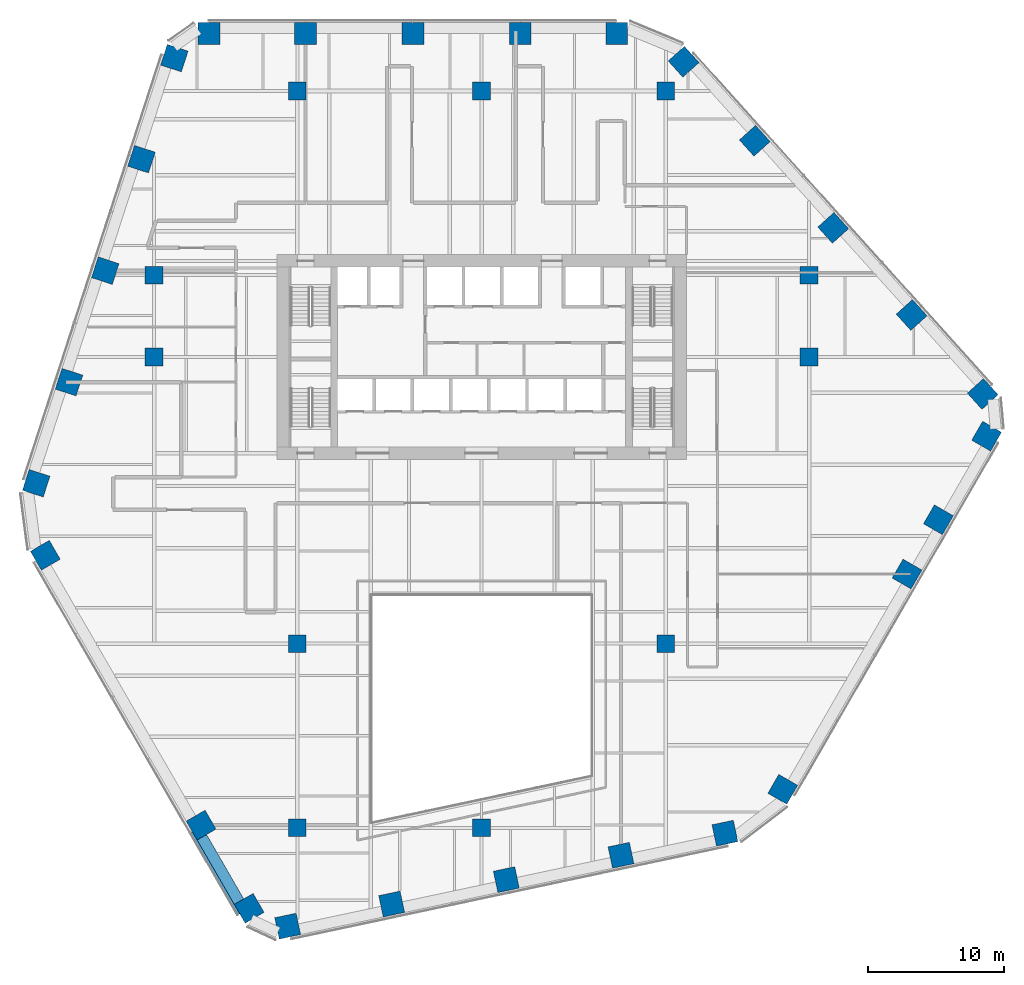
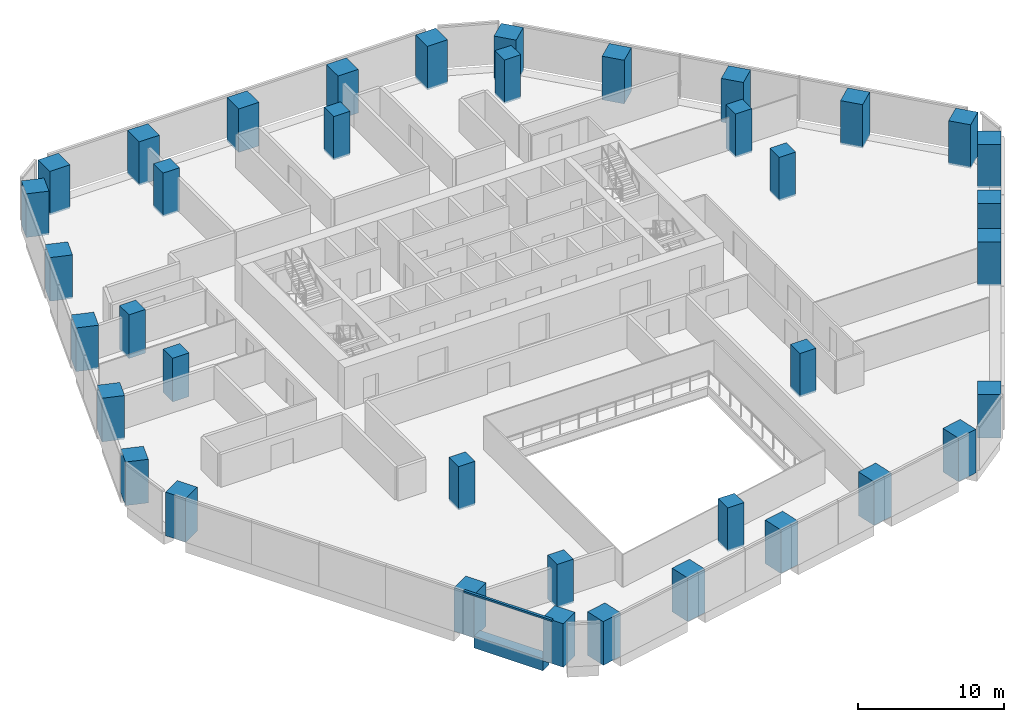
# One storey, part 1 of 21: 38 columns, 1 beam, 1 member, 1 element without a shape of its own.
"""IFC4 building model written with IfcOpenShell, lengths in metres."""

import ifcopenshell
import ifcopenshell.guid

model = None  # the IFC model being written
_history = None  # IfcOwnerHistory: only IFC2X3 demands one
_inside = {}  # id of a spatial element -> (the spatial element, [elements in it])
_under = {}  # id of a project, library or spatial element -> (it, [spatial elements below it])
_declared = {}  # id of a project -> (the project, [libraries it declares])
_typed = {}  # id of a type object -> (the type object, [elements of that type])
_made_of = {}  # id of a material, layer set ... -> (it, [elements and type objects made of it])


def new_model(schema):
    """Start an empty IFC model of exactly this schema.

    Asked for "IFC4X3", IfcOpenShell would pick the latest addendum, in which some entities
    have other attributes; the version numbers below select the first issue.
    IFC2X3 requires an IfcOwnerHistory on every rooted entity: one is made here for all.
    """
    global model, _history
    if schema == "IFC4X3":
        model = ifcopenshell.file(schema_version=(4, 3, 0, 0))
    else:
        model = ifcopenshell.file(schema=schema)
    _inside.clear()
    _under.clear()
    _declared.clear()
    _typed.clear()
    _made_of.clear()
    _history = None
    if model.schema == "IFC2X3":
        org = make("IfcOrganization", Name="unknown")
        user = make(
            "IfcPersonAndOrganization",
            ThePerson=make("IfcPerson", FamilyName="unknown"),
            TheOrganization=org,
        )
        app = make(
            "IfcApplication",
            ApplicationDeveloper=org,
            Version="unknown",
            ApplicationFullName="unknown",
            ApplicationIdentifier="unknown",
        )
        _history = make(
            "IfcOwnerHistory",
            OwningUser=user,
            OwningApplication=app,
            ChangeAction="ADDED",
            CreationDate=0,
        )
    return model


def make(cls, **values):
    """One entity of the class cls with the attributes given. An attribute that is None is left unset."""
    return model.create_entity(
        cls, **{name: value for name, value in values.items() if value is not None}
    )


def rooted(cls, **values):
    """An entity with a GlobalId (a new one), such as an element, a storey or a relation."""
    return make(cls, GlobalId=ifcopenshell.guid.new(), OwnerHistory=_history, **values)


def si_unit(unit_type, name, prefix=None):
    """IfcSIUnit, for example si_unit("LENGTHUNIT", "METRE", prefix="MILLI")."""
    return make("IfcSIUnit", UnitType=unit_type, Prefix=prefix, Name=name)


def assignment(units):
    """IfcUnitAssignment: the units of a project."""
    return None if units is None else make("IfcUnitAssignment", Units=units)


def point(xyz):
    """IfcCartesianPoint."""
    return None if xyz is None else make("IfcCartesianPoint", Coordinates=xyz)


def direction(xyz):
    """IfcDirection."""
    return None if xyz is None else make("IfcDirection", DirectionRatios=xyz)


def frame(location, z_axis=None, x_axis=None):
    """IfcAxis2Placement3D, a coordinate frame: its origin and axes. An axis left out is left unset."""
    return make(
        "IfcAxis2Placement3D",
        Location=point(location),
        Axis=direction(z_axis),
        RefDirection=direction(x_axis),
    )


def frame_2d(location, x_axis=None):
    """IfcAxis2Placement2D, a coordinate frame in the plane: its origin and x axis."""
    return make(
        "IfcAxis2Placement2D", Location=point(location), RefDirection=direction(x_axis)
    )


def origin():
    """The frame at (0, 0, 0) with its axes left unset."""
    return frame((0.0, 0.0, 0.0))


def origin_2d():
    """The frame at (0, 0) in the plane with its x axis left unset."""
    return frame_2d((0.0, 0.0))


def place(relative_to, where):
    """IfcLocalPlacement: puts the frame where relative to a parent placement (None: the world)."""
    return make(
        "IfcLocalPlacement", PlacementRelTo=relative_to, RelativePlacement=where
    )


def context(
    kind, dimensions, precision=None, world=None, true_north=None, identifier=None
):
    """IfcGeometricRepresentationContext, for example the 3D "Model" context."""
    return make(
        "IfcGeometricRepresentationContext",
        ContextIdentifier=identifier,
        ContextType=kind,
        CoordinateSpaceDimension=dimensions,
        Precision=precision,
        WorldCoordinateSystem=world,
        TrueNorth=true_north,
    )


def subcontext(parent, identifier, kind, view, scale=None):
    """IfcGeometricRepresentationSubContext, for example "Body" below "Model"."""
    return make(
        "IfcGeometricRepresentationSubContext",
        ContextIdentifier=identifier,
        ContextType=kind,
        ParentContext=parent,
        TargetScale=scale,
        TargetView=view,
    )


def project(units=None, contexts=None):
    """IfcProject with its units and contexts."""
    return rooted(
        "IfcProject",
        Name="project",
        RepresentationContexts=contexts,
        UnitsInContext=assignment(units),
    )


def spatial(cls, under=None, at=None, **own):
    """A site, building, storey or space (cls), placed at a placement, below another one or the project."""
    s = rooted(cls, ObjectPlacement=at, **own)
    if under is not None:
        _under.setdefault(under.id(), (under, []))[1].append(s)
    return s


def profile(cls, at=None, kind="AREA", **sizes):
    """A parametric profile (cls). Its sizes go by their IFC names, for example OverallWidth=200.0."""
    return make(cls, ProfileType=kind, Position=at, **sizes)


def rectangle(**sizes):
    """IfcRectangleProfileDef."""
    return profile("IfcRectangleProfileDef", **sizes)


def extrude(swept, where, along, depth):
    """IfcExtrudedAreaSolid: the profile swept, set in the frame where, extruded along a direction by depth."""
    return make(
        "IfcExtrudedAreaSolid",
        SweptArea=swept,
        Position=where,
        ExtrudedDirection=direction(along),
        Depth=depth,
    )


def shape(context_of_items, identifier, shape_type, items):
    """IfcShapeRepresentation: the items that make up one representation, for example the "Body"."""
    return make(
        "IfcShapeRepresentation",
        ContextOfItems=context_of_items,
        RepresentationIdentifier=identifier,
        RepresentationType=shape_type,
        Items=items,
    )


def material(Name=None, Category=None):
    """IfcMaterial."""
    return make("IfcMaterial", Name=Name, Category=Category)


def layer(
    of_material, thickness, ventilated=None, Name=None, Category=None, Priority=None
):
    """IfcMaterialLayer: one layer of a wall or slab, of a material (None: an air gap)."""
    return make(
        "IfcMaterialLayer",
        Material=of_material,
        LayerThickness=thickness,
        IsVentilated=ventilated,
        Name=Name,
        Category=Category,
        Priority=Priority,
    )


def layer_set(layers, Name=None):
    """IfcMaterialLayerSet."""
    return make("IfcMaterialLayerSet", MaterialLayers=layers, LayerSetName=Name)


def material_profile(
    of_material, cross_section, Name=None, Category=None, Priority=None
):
    """IfcMaterialProfile: a cross section and its material."""
    return make(
        "IfcMaterialProfile",
        Name=Name,
        Material=of_material,
        Profile=cross_section,
        Priority=Priority,
        Category=Category,
    )


def profile_set(profiles, Name=None, composite=None):
    """IfcMaterialProfileSet."""
    return make(
        "IfcMaterialProfileSet",
        Name=Name,
        MaterialProfiles=profiles,
        CompositeProfile=composite,
    )


def made_of(thing, what):
    """Note that an element or type object is made of a material, layer set ...; save() writes the relation."""
    if what is not None:
        _made_of.setdefault(what.id(), (what, []))[1].append(thing)
    return thing


def type_object(cls, material=None, **own):
    """A type object (cls), such as IfcWallType, which elements share."""
    return made_of(rooted(cls, **own), material)


def element(
    cls,
    number,
    at=None,
    inside=None,
    cuts=None,
    type_object=None,
    material=None,
    context=None,
    identifier="Body",
    shape_type=None,
    held_by="IfcProductDefinitionShape",
    body=None,
    shapes=None,
    **own,
):
    """One element of the class cls, such as IfcWall. Its Tag is "e" and its number.

    at: its placement. inside: the storey or other place that contains it. cuts: it is an
    opening in that element (IfcRelVoidsElement). A single representation is given by context,
    identifier, shape_type and body (its items); several are given by shapes. held_by: the class
    of the entity that holds the representations. save() writes the other relations.
    """
    e = rooted(cls, Tag="e%d" % number, ObjectPlacement=at, **own)
    if body is not None:
        shapes = [shape(context, identifier, shape_type, body)]
    if shapes is not None:
        e.Representation = make(held_by, Representations=shapes)
    if inside is not None:
        _inside.setdefault(inside.id(), (inside, []))[1].append(e)
    if cuts is not None:
        rooted(
            "IfcRelVoidsElement", RelatingBuildingElement=cuts, RelatedOpeningElement=e
        )
    if type_object is not None:
        _typed.setdefault(type_object.id(), (type_object, []))[1].append(e)
    return made_of(e, material)


def aggregate(whole, parts):
    """IfcRelAggregates: a whole, such as a stair, and the parts it consists of."""
    return rooted("IfcRelAggregates", RelatingObject=whole, RelatedObjects=parts)


def save(model, path):
    """Write the relations noted so far, then the file.

    IfcRelAggregates (storeys below a building ...), IfcRelContainedInSpatialStructure (elements
    in a storey), IfcRelDefinesByType, IfcRelAssociatesMaterial and IfcRelDeclares: one each for
    every whole, place, type object, material and project.
    """
    for whole, parts in _under.values():
        aggregate(whole, parts)
    for where, things in _inside.values():
        rooted(
            "IfcRelContainedInSpatialStructure",
            RelatedElements=things,
            RelatingStructure=where,
        )
    for kind, things in _typed.values():
        rooted("IfcRelDefinesByType", RelatedObjects=things, RelatingType=kind)
    for what, things in _made_of.values():
        rooted("IfcRelAssociatesMaterial", RelatedObjects=things, RelatingMaterial=what)
    for by, libraries in _declared.values():
        rooted("IfcRelDeclares", RelatingContext=by, RelatedDefinitions=libraries)
    model.write(path)


model = new_model("IFC4")

# Units and contexts
model_context = context("Model", 3, precision=1e-05, world=origin(), true_north=direction((0.0, 1.0)))
body_context = subcontext(model_context, "Body", "Model", "MODEL_VIEW")
ifc_project = project(units=[si_unit("LENGTHUNIT", "METRE"), si_unit("AREAUNIT", "SQUARE_METRE"), si_unit("VOLUMEUNIT", "CUBIC_METRE"), si_unit("PLANEANGLEUNIT", "RADIAN"), si_unit("MASSUNIT", "GRAM", prefix="KILO")], contexts=[model_context])

# Site, building, storey
site_placement = place(None, origin())
site = spatial("IfcSite", under=ifc_project, at=site_placement, CompositionType="ELEMENT")
building_placement = place(site_placement, origin())
building = spatial("IfcBuilding", under=site, at=building_placement, Name="Isthmus Gate Tower", CompositionType="ELEMENT")
storey_placement = place(building_placement, frame((0.0, 0.0, 102.550048828125)))
storey = spatial("IfcBuildingStorey", under=building, at=storey_placement, Name="L24", CompositionType="ELEMENT", Elevation=102.550048828125)

# Columns
ifc_material_1 = material(Name="Concrete f'c 70 MPa", Category="concrete")
ifc_material_profile_1 = material_profile(ifc_material_1, rectangle(XDim=1.300048828125, YDim=1.300048828125, at=origin_2d()), Name="RC 1300X1300")
ifc_profile_set_1 = profile_set([ifc_material_profile_1], Name="Concrete f'c 70 MPa")
column_type_1 = type_object("IfcColumnType", Name="RC INTERIOR COLUMN 1300 X 1300", PredefinedType="COLUMN", material=ifc_profile_set_1)
for number, where, z_axis, x_axis, name in (
    (1, (-24.0, 7.5, -0.150146484375), (0.0, 0.0, 1.0), (1.0, 0.0, 0.0), "str-icol-L24-ICA3"),
    (2, (-24.0, 13.5, -0.150146484375), (0.0, 0.0, 1.0), (1.0, 0.0, 0.0), "str-icol-L24-ICA4"),
    (3, (-13.5, -27.0, -0.150146484375), (0.0, 0.0, 1.0), (1.0, 0.0, 0.0), "str-icol-L24-ICB1"),
    (4, (-13.5, -13.5, -0.150146484375), (0.0, 0.0, 1.0), (1.0, 0.0, 0.0), "str-icol-L24-ICB2"),
    (5, (-13.5, 27.0, -0.150146484375), (0.0, 0.0, 1.0), (1.0, 0.0, 0.0), "str-icol-L24-ICB5"),
    (6, (0.0, -27.0, -0.150146484375), (0.0, 0.0, 1.0), (1.0, 0.0, 0.0), "str-icol-L24-ICC1"),
    (7, (0.0, 27.0, -0.150146484375), (0.0, 0.0, 1.0), (1.0, 0.0, 0.0), "str-icol-L24-ICC5"),
    (8, (13.5, -13.5, -0.150146484375), (0.0, 0.0, 1.0), (1.0, 0.0, 0.0), "str-icol-L24-ICD2"),
    (9, (13.5, 27.0, -0.150146484375), (0.0, 0.0, 1.0), (1.0, 0.0, 0.0), "str-icol-L24-ICD5"),
    (10, (24.0, 7.5, -0.150146484375), (0.0, 0.0, 1.0), (1.0, 0.0, 0.0), "str-icol-L24-ICE3"),
    (11, (24.0, 13.5, -0.150146484375), (0.0, 0.0, 1.0), (1.0, 0.0, 0.0), "str-icol-L24-ICE4"),
):
    element("IfcColumn", number, at=place(storey_placement, frame(where, z_axis=z_axis, x_axis=x_axis)), inside=storey, type_object=column_type_1, Name=name, PredefinedType="COLUMN", context=body_context, shape_type="SweptSolid", body=[
        extrude(rectangle(XDim=1.300048828125, YDim=1.300048828125, at=origin_2d()), origin(), (0.0, 0.0, 1.0), 3.650146484375),
    ])
ifc_material_2 = material(Name="Concrete f'c 70 MPa", Category="concrete")
ifc_material_profile_2 = material_profile(ifc_material_2, rectangle(XDim=1.60009765625, YDim=1.60009765625, at=origin_2d()), Name="RC 1600X1600")
ifc_profile_set_2 = profile_set([ifc_material_profile_2], Name="Concrete f'c 70 MPa")
column_type_2 = type_object("IfcColumnType", Name="RC TUBE COLUMN 1600 X 1600", PredefinedType="COLUMN", material=ifc_profile_set_2)
for number, where, z_axis, x_axis, name in (
    (12, (9.90185546875, 31.199951171875, -0.150146484375), (0.0, 0.0, 1.0), (-1.0, 0.0, 0.0), "str-tcol-L24-T1N0"),
    (13, (2.832275390625, 31.199951171875, -0.150146484375), (0.0, 0.0, 1.0), (-1.0, 0.0, 0.0), "str-tcol-L24-T1N1"),
    (14, (-5.037109375, 31.199951171875, -0.150146484375), (0.0, 0.0, 1.0), (-1.0, 0.0, 0.0), "str-tcol-L24-T1N2"),
    (15, (-12.90673828125, 31.199951171875, -0.150146484375), (0.0, 0.0, 1.0), (-1.0, 0.0, 0.0), "str-tcol-L24-T1N3"),
    (16, (-19.976318359375, 31.199951171875, -0.150146484375), (0.0, 0.0, 1.0), (-1.0, 0.0, 0.0), "str-tcol-L24-T1N4"),
    (17, (-22.515380859375, 29.406982421875, -0.150146484375), (0.0, 0.0, 1.0), (-0.309016994375, -0.951056516295, 0.0), "str-tcol-L24-T1NW0"),
    (18, (-24.922607421875, 21.998779296875, -0.150146484375), (0.0, 0.0, 1.0), (-0.309016994375, -0.951056516295, 0.0), "str-tcol-L24-T1NW1"),
    (19, (-27.57666015625, 13.829833984375, -0.150146484375), (0.0, 0.0, 1.0), (-0.309016994375, -0.951056516295, 0.0), "str-tcol-L24-T1NW2"),
    (20, (-30.23095703125, 5.660888671875, -0.150146484375), (0.0, 0.0, 1.0), (-0.309016994375, -0.951056516295, 0.0), "str-tcol-L24-T1NW3"),
    (21, (-32.63818359375, -1.747314453125, -0.150146484375), (0.0, 0.0, 1.0), (-0.309016994375, -0.951056516295, 0.0), "str-tcol-L24-T1NW4"),
    (22, (-31.970947265625, -7.024658203125, -0.150146484375), (0.0, 0.0, 1.0), (0.5, -0.866025403784, 0.0), "str-tcol-L24-T1SW0"),
    (23, (-20.5537109375, -26.800048828125, -0.150146484375), (0.0, 0.0, 1.0), (0.5, -0.866025403784, 0.0), "str-tcol-L24-T1SW2"),
    (24, (-17.031982421875, -32.89990234375, -0.150146484375), (0.0, 0.0, 1.0), (0.5, -0.866025403784, 0.0), "str-tcol-L24-T1SW3"),
    (25, (-14.20947265625, -34.202392578125, -0.150146484375), (0.0, 0.0, 1.0), (0.978147600734, 0.207911690818, 0.0), "str-tcol-L24-T1S0"),
    (26, (-6.59033203125, -32.5830078125, -0.150146484375), (0.0, 0.0, 1.0), (0.978147600734, 0.207911690818, 0.0), "str-tcol-L24-T1S1"),
    (27, (1.811279296875, -30.797119140625, -0.150146484375), (0.0, 0.0, 1.0), (0.978147600734, 0.207911690818, 0.0), "str-tcol-L24-T1S2"),
    (28, (10.213134765625, -29.01123046875, -0.150146484375), (0.0, 0.0, 1.0), (0.978147600734, 0.207911690818, 0.0), "str-tcol-L24-T1S3"),
    (29, (17.832275390625, -27.391845703125, -0.150146484375), (0.0, 0.0, 1.0), (0.978147600734, 0.207911690818, 0.0), "str-tcol-L24-T1S4"),
    (30, (22.069091796875, -24.17529296875, -0.150146484375), (0.0, 0.0, 1.0), (0.5, 0.866025403784, 0.0), "str-tcol-L24-T1SE0"),
    (31, (31.177001953125, -8.39990234375, -0.150146484375), (0.0, 0.0, 1.0), (0.5, 0.866025403784, 0.0), "str-tcol-L24-T1SE1"),
    (32, (33.473388671875, -4.42236328125, -0.150146484375), (0.0, 0.0, 1.0), (0.5, 0.866025403784, 0.0), "str-tcol-L24-T1SE2"),
    (33, (37.008056640625, 1.699951171875, -0.150146484375), (0.0, 0.0, 1.0), (0.5, 0.866025403784, 0.0), "str-tcol-L24-T1SE3"),
    (34, (36.724853515625, 4.79541015625, -0.150146484375), (0.0, 0.0, 1.0), (-0.669130606359, 0.743144825477, 0.0), "str-tcol-L24-T1NE0"),
    (35, (31.5126953125, 10.584228515625, -0.150146484375), (0.0, 0.0, 1.0), (-0.669130606359, 0.743144825477, 0.0), "str-tcol-L24-T1NE1"),
    (36, (25.765380859375, 16.96728515625, -0.150146484375), (0.0, 0.0, 1.0), (-0.669130606359, 0.743144825477, 0.0), "str-tcol-L24-T1NE2"),
    (37, (20.01806640625, 23.350341796875, -0.150146484375), (0.0, 0.0, 1.0), (-0.669130606359, 0.743144825477, 0.0), "str-tcol-L24-T1NE3"),
    (38, (14.805908203125, 29.138916015625, -0.150146484375), (0.0, 0.0, 1.0), (-0.669130606359, 0.743144825477, 0.0), "str-tcol-L24-T1NE4"),
):
    element("IfcColumn", number, at=place(storey_placement, frame(where, z_axis=z_axis, x_axis=x_axis)), inside=storey, type_object=column_type_2, Name=name, PredefinedType="COLUMN", context=body_context, shape_type="SweptSolid", body=[
        extrude(rectangle(XDim=1.60009765625, YDim=1.60009765625, at=origin_2d()), origin(), (0.0, 0.0, 1.0), 3.650146484375),
    ])

# Curtain wall, member
ifc_material_3 = material(Name="Aluminium, pale champagne anodised", Category="aluminium")
ifc_layer = layer(ifc_material_3, 0.199951171875)
ifc_layer_set = layer_set([ifc_layer], Name="CW-1 UNITISED CURTAIN WALL 200 DEEP")
curtain_wall_type = type_object("IfcCurtainWallType", Name="CW-1 UNITISED CURTAIN WALL 200 DEEP", PredefinedType="NOTDEFINED", material=ifc_layer_set)
curtain_wall_placement = place(storey_placement, origin())
curtain_wall = element("IfcCurtainWall", 39, at=curtain_wall_placement, inside=storey, type_object=curtain_wall_type, Name="CW-1 SW L24", PredefinedType="NOTDEFINED")
ifc_material_4 = material(Name="Aluminium, pale champagne anodised", Category="aluminium")
ifc_material_profile_3 = material_profile(ifc_material_4, rectangle(XDim=0.199951171875, YDim=0.14990234375, at=origin_2d()), Name="200x150")
ifc_profile_set_3 = profile_set([ifc_material_profile_3], Name="Aluminium, pale champagne anodised")
member_type = type_object("IfcMemberType", Name="CW-1 TRANSOM 200 X 150", PredefinedType="USERDEFINED", material=ifc_profile_set_3)
member_placement = place(storey_placement, frame((-21.302978515625, -27.302001953125, 3.574951171875), z_axis=(0.499996830835, -0.866027233495, 0.0), x_axis=(0.866027233495, 0.499996830835, 0.0)))
member = element("IfcMember", 40, at=member_placement, type_object=member_type, Name="CW-1 transom", ObjectType="TRANSOM", PredefinedType="USERDEFINED", context=body_context, shape_type="SweptSolid", body=[
    extrude(rectangle(XDim=0.199951171875, YDim=0.14990234375, at=origin_2d()), origin(), (0.0, 0.0, 1.0), 6.9833984375),
])
aggregate(curtain_wall, [member])

# Beam
ifc_material_5 = material(Name="Concrete f'c 70 MPa", Category="concrete")
ifc_material_profile_4 = material_profile(ifc_material_5, rectangle(XDim=0.800048828125, YDim=1.0, at=origin_2d()), Name="RC 800X1000")
ifc_profile_set_4 = profile_set([ifc_material_profile_4], Name="Concrete f'c 70 MPa")
beam_type = type_object("IfcBeamType", Name="RC SPANDREL 800 X 1000", PredefinedType="SPANDREL", material=ifc_profile_set_4)
beam_placement = place(storey_placement, frame((-17.7783203125, -32.406982421875, -0.5), z_axis=(-0.499998104561, 0.866026498114, 0.0), x_axis=(-0.866026498114, -0.499998104561, 0.0)))
element("IfcBeam", 41, at=beam_placement, inside=storey, type_object=beam_type, Name="str-spandrel-L24-15", PredefinedType="SPANDREL", context=body_context, shape_type="SweptSolid", body=[
    extrude(rectangle(XDim=0.800048828125, YDim=1.0, at=origin_2d()), origin(), (0.0, 0.0, 1.0), 5.443359375),
])

save(model, "model.ifc")
